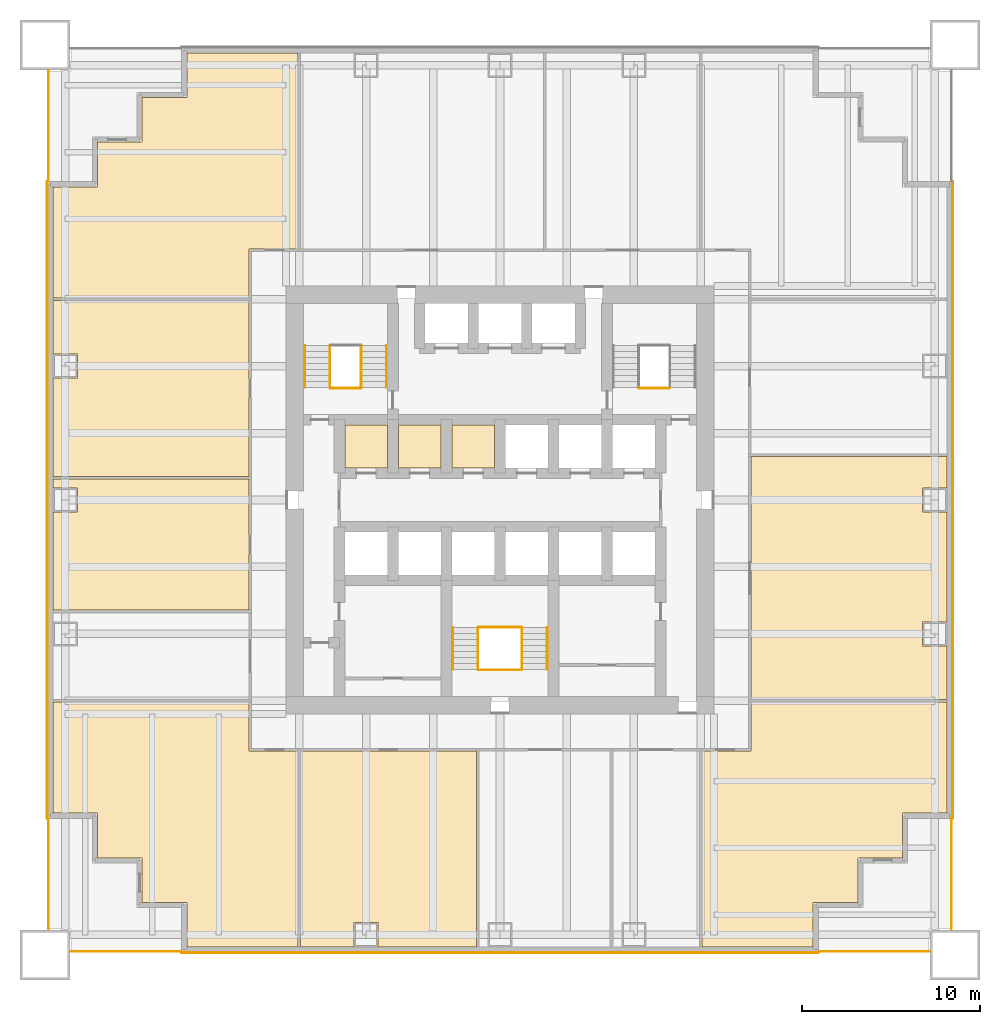
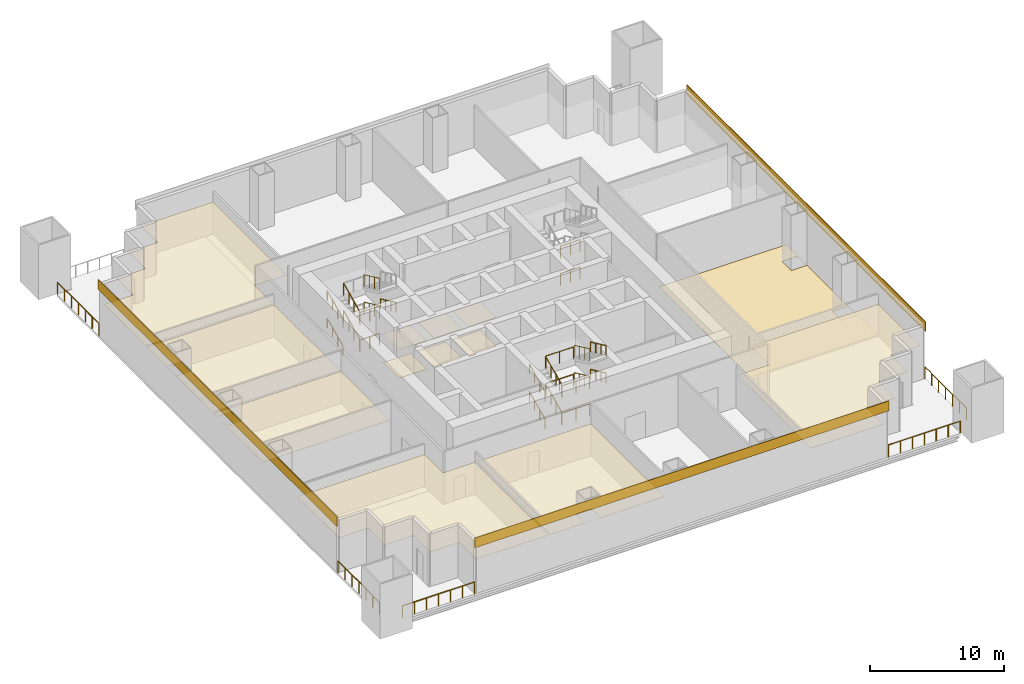
# One storey, part 5 of 6: 28 railings, 16 coverings.
"""IFC4 building model written with IfcOpenShell, lengths in metres."""

from ifc_helpers import new_model, si_unit, direction, frame, origin, origin_2d, place, context, subcontext, project, spatial, polyline, rectangle, circle, outline, extrude, material, layer, layer_set, type_object, element, save


model = new_model("IFC4")

# Units and contexts
model_context = context("Model", 3, precision=1e-05, world=origin(), true_north=direction((0.0, 1.0)))
body_context = subcontext(model_context, "Body", "Model", "MODEL_VIEW")
ifc_project = project(units=[si_unit("LENGTHUNIT", "METRE"), si_unit("AREAUNIT", "SQUARE_METRE"), si_unit("VOLUMEUNIT", "CUBIC_METRE"), si_unit("PLANEANGLEUNIT", "RADIAN"), si_unit("MASSUNIT", "GRAM", prefix="KILO")], contexts=[model_context])

# Site, building, storey
site_placement = place(None, origin())
site = spatial("IfcSite", under=ifc_project, at=site_placement, CompositionType="ELEMENT")
building_placement = place(site_placement, origin())
building = spatial("IfcBuilding", under=site, at=building_placement, Name="Tarangal Relay Tower", CompositionType="ELEMENT")
storey_placement = place(building_placement, frame((0.0, 0.0, 33.39990234375)))
storey = spatial("IfcBuildingStorey", under=building, at=storey_placement, Name="L06", CompositionType="ELEMENT", Elevation=33.39990234375)

# Coverings
ifc_material_1 = material(Name="Anti-static vinyl flooring", Category="plastic")
ifc_layer_1 = layer(ifc_material_1, 0.010009765625)
ifc_layer_set_1 = layer_set([ifc_layer_1], Name="Anti-static vinyl floor")
covering_type_1 = type_object("IfcCoveringType", Name="Anti-static vinyl floor", PredefinedType="FLOORING", material=ifc_layer_set_1)
covering_1_placement = place(storey_placement, origin())
element("IfcCovering", 1, at=covering_1_placement, inside=storey, type_object=covering_type_1, Name="Floor finish FL1 L06-D1", PredefinedType="FLOORING", context=body_context, shape_type="SweptSolid", body=[
    extrude(outline(polyline([(-8.699951171875, 1.800048828125), (-6.300048828125, 1.800048828125), (-6.300048828125, 4.199951171875), (-8.699951171875, 4.199951171875), (-8.699951171875, 1.800048828125)])), origin(), (0.0, 0.0, 1.0), 0.010009765625),
])
covering_2_placement = place(storey_placement, origin())
element("IfcCovering", 2, at=covering_2_placement, inside=storey, type_object=covering_type_1, Name="Floor finish FL1 L06-D2", PredefinedType="FLOORING", context=body_context, shape_type="SweptSolid", body=[
    extrude(outline(polyline([(-5.699951171875, 1.800048828125), (-3.300048828125, 1.800048828125), (-3.300048828125, 4.199951171875), (-5.699951171875, 4.199951171875), (-5.699951171875, 1.800048828125)])), origin(), (0.0, 0.0, 1.0), 0.010009765625),
])
covering_3_placement = place(storey_placement, origin())
element("IfcCovering", 3, at=covering_3_placement, inside=storey, type_object=covering_type_1, Name="Floor finish FL1 L06-D3", PredefinedType="FLOORING", context=body_context, shape_type="SweptSolid", body=[
    extrude(outline(polyline([(-2.699951171875, 1.800048828125), (-0.300048828125, 1.800048828125), (-0.300048828125, 4.199951171875), (-2.699951171875, 4.199951171875), (-2.699951171875, 1.800048828125)])), origin(), (0.0, 0.0, 1.0), 0.010009765625),
])
covering_4_placement = place(storey_placement, origin())
element("IfcCovering", 4, at=covering_4_placement, inside=storey, type_object=covering_type_1, Name="Floor finish FL1 L06-05", PredefinedType="FLOORING", context=body_context, shape_type="SweptSolid", body=[
    extrude(outline(polyline([(25.050048828125, -11.175048828125), (25.050048828125, 2.425048828125), (14.074951171875, 2.425048828125), (14.074951171875, -11.175048828125), (25.050048828125, -11.175048828125)]), holes=[polyline([(25.0400390625, -8.175048828125), (25.0400390625, -6.824951171875), (23.68994140625, -6.824951171875), (23.68994140625, -8.175048828125), (25.0400390625, -8.175048828125)]), polyline([(25.0400390625, -0.675048828125), (25.0400390625, 0.675048828125), (23.68994140625, 0.675048828125), (23.68994140625, -0.675048828125), (25.0400390625, -0.675048828125)])]), origin(), (0.0, 0.0, 1.0), 0.010009765625),
])
ifc_material_2 = material(Name="Black anodised aluminium cladding", Category="aluminium")
ifc_layer_2 = layer(ifc_material_2, 0.050048828125)
ifc_layer_set_2 = layer_set([ifc_layer_2], Name="Black metal spandrel band")
covering_type_2 = type_object("IfcCoveringType", Name="Black metal spandrel band", PredefinedType="CLADDING", material=ifc_layer_set_2)
for number, where, z_axis, x_axis, name in (
    (5, (25.375, 0.0, 4.250244140625), (0.0, 0.0, 1.0), (0.0, -1.0, 0.0), "Spandrel band SB1 E L06"),
    (6, (0.0, -25.375, 4.250244140625), (0.0, 0.0, 1.0), (-1.0, 0.0, 0.0), "Spandrel band SB1 S L06"),
    (7, (-25.375, 0.0, 4.250244140625), (0.0, 0.0, 1.0), (0.0, 1.0, 0.0), "Spandrel band SB1 W L06"),
):
    element("IfcCovering", number, at=place(storey_placement, frame(where, z_axis=z_axis, x_axis=x_axis)), inside=storey, type_object=covering_type_2, Name=name, PredefinedType="CLADDING", context=body_context, shape_type="SweptSolid", body=[
        extrude(rectangle(XDim=35.699951171875, YDim=0.050048828125, at=origin_2d()), origin(), (0.0, 0.0, 1.0), 0.89990234375),
    ])

# Railings
ifc_material_3 = material(Name="Steel guard, black finish", Category="steel")
railing_type_1 = type_object("IfcRailingType", Name="Stair guard 1100", PredefinedType="GUARDRAIL", material=ifc_material_3)
railing_1_placement = place(storey_placement, frame((-9.530029296875, 6.300048828125, 0.15625)))
element("IfcRailing", 8, at=railing_1_placement, inside=storey, type_object=railing_type_1, Name="Stair ST-A guard GR1 L06 flight 1", PredefinedType="GUARDRAIL", context=body_context, shape_type="SweptSolid", body=[
    extrude(circle(Radius=0.02392578125, at=origin_2d()), frame((0.0, 0.0, 1.076171875), z_axis=(0.0, 0.90626748934, 0.422704669676), x_axis=(-1.0, 0.0, 0.0)), (0.0, 0.0, 1.0), 2.58740234375),
    extrude(circle(Radius=0.02099609375, at=origin_2d()), origin(), (0.0, 0.0, 1.0), 1.052001953125),
    extrude(circle(Radius=0.02099609375, at=origin_2d()), frame((0.0, 0.78173828125, 0.364501953125)), (0.0, 0.0, 1.0), 1.052001953125),
    extrude(circle(Radius=0.02099609375, at=origin_2d()), frame((0.0, 1.563232421875, 0.729248046875)), (0.0, 0.0, 1.0), 1.052001953125),
    extrude(circle(Radius=0.02099609375, at=origin_2d()), frame((0.0, 2.344970703125, 1.09375)), (0.0, 0.0, 1.0), 1.052001953125),
])
railing_2_placement = place(storey_placement, frame((-7.77001953125, 8.64501953125, 1.40625)))
element("IfcRailing", 9, at=railing_2_placement, inside=storey, type_object=railing_type_1, Name="Stair ST-A guard GR1 L06 flight 2", PredefinedType="GUARDRAIL", context=body_context, shape_type="SweptSolid", body=[
    extrude(circle(Radius=0.02392578125, at=origin_2d()), frame((0.0, 0.0, 1.076171875), z_axis=(0.0, -0.90626748934, 0.422704669676), x_axis=(1.0, 0.0, 0.0)), (0.0, 0.0, 1.0), 2.58740234375),
    extrude(circle(Radius=0.02099609375, at=origin_2d()), origin(), (0.0, 0.0, 1.0), 1.052001953125),
    extrude(circle(Radius=0.02099609375, at=origin_2d()), frame((0.0, -0.78173828125, 0.364501953125)), (0.0, 0.0, 1.0), 1.052001953125),
    extrude(circle(Radius=0.02099609375, at=origin_2d()), frame((0.0, -1.563232421875, 0.729248046875)), (0.0, 0.0, 1.0), 1.052001953125),
    extrude(circle(Radius=0.02099609375, at=origin_2d()), frame((0.0, -2.344970703125, 1.09375)), (0.0, 0.0, 1.0), 1.052001953125),
])
railing_3_placement = place(storey_placement, frame((-9.530029296875, 6.300048828125, 2.65625)))
element("IfcRailing", 10, at=railing_3_placement, inside=storey, type_object=railing_type_1, Name="Stair ST-A guard GR1 L06 flight 3", PredefinedType="GUARDRAIL", context=body_context, shape_type="SweptSolid", body=[
    extrude(circle(Radius=0.02392578125, at=origin_2d()), frame((0.0, 0.0, 1.076171875), z_axis=(0.0, 0.90626748934, 0.422704669676), x_axis=(-1.0, 0.0, 0.0)), (0.0, 0.0, 1.0), 2.58740234375),
    extrude(circle(Radius=0.02099609375, at=origin_2d()), origin(), (0.0, 0.0, 1.0), 1.052001953125),
    extrude(circle(Radius=0.02099609375, at=origin_2d()), frame((0.0, 0.78173828125, 0.364501953125)), (0.0, 0.0, 1.0), 1.052001953125),
    extrude(circle(Radius=0.02099609375, at=origin_2d()), frame((0.0, 1.563232421875, 0.729248046875)), (0.0, 0.0, 1.0), 1.052001953125),
    extrude(circle(Radius=0.02099609375, at=origin_2d()), frame((0.0, 2.344970703125, 1.09375)), (0.0, 0.0, 1.0), 1.052001953125),
])
railing_4_placement = place(storey_placement, frame((-7.77001953125, 8.64501953125, 3.90625)))
element("IfcRailing", 11, at=railing_4_placement, inside=storey, type_object=railing_type_1, Name="Stair ST-A guard GR1 L06 flight 4", PredefinedType="GUARDRAIL", context=body_context, shape_type="SweptSolid", body=[
    extrude(circle(Radius=0.02392578125, at=origin_2d()), frame((0.0, 0.0, 1.076171875), z_axis=(0.0, -0.90626748934, 0.422704669676), x_axis=(1.0, 0.0, 0.0)), (0.0, 0.0, 1.0), 2.58740234375),
    extrude(circle(Radius=0.02099609375, at=origin_2d()), origin(), (0.0, 0.0, 1.0), 1.052001953125),
    extrude(circle(Radius=0.02099609375, at=origin_2d()), frame((0.0, -0.78173828125, 0.364501953125)), (0.0, 0.0, 1.0), 1.052001953125),
    extrude(circle(Radius=0.02099609375, at=origin_2d()), frame((0.0, -1.563232421875, 0.729248046875)), (0.0, 0.0, 1.0), 1.052001953125),
    extrude(circle(Radius=0.02099609375, at=origin_2d()), frame((0.0, -2.344970703125, 1.09375)), (0.0, 0.0, 1.0), 1.052001953125),
])
for number, where, name in (
    (12, (-9.5, 6.27001953125, 0.0), "Stair ST-A landing guard GR1 L06"),
    (13, (-9.5, 6.27001953125, 2.5), "Stair ST-A landing guard GR1 L06"),
    (14, (7.800048828125, 6.27001953125, 0.0), "Stair ST-B landing guard GR1 L06"),
    (15, (7.800048828125, 6.27001953125, 2.5), "Stair ST-B landing guard GR1 L06"),
):
    element("IfcRailing", number, at=place(storey_placement, frame(where)), inside=storey, type_object=railing_type_1, Name=name, PredefinedType="GUARDRAIL", context=body_context, shape_type="SweptSolid", body=[
        extrude(circle(Radius=0.02392578125, at=origin_2d()), frame((0.0, 0.0, 1.076171875), z_axis=(1.0, 0.0, 0.0), x_axis=(0.0, 1.0, 0.0)), (0.0, 0.0, 1.0), 1.699951171875),
        extrude(circle(Radius=0.02099609375, at=origin_2d()), origin(), (0.0, 0.0, 1.0), 1.052001953125),
        extrude(circle(Radius=0.02099609375, at=origin_2d()), frame((0.85009765625, 0.0, 0.0)), (0.0, 0.0, 1.0), 1.052001953125),
        extrude(circle(Radius=0.02099609375, at=origin_2d()), frame((1.699951171875, 0.0, 0.0)), (0.0, 0.0, 1.0), 1.052001953125),
    ])
railing_5_placement = place(storey_placement, frame((-1.22998046875, -9.5, 0.15625)))
element("IfcRailing", 16, at=railing_5_placement, inside=storey, type_object=railing_type_1, Name="Stair ST-C guard GR1 L06 flight 1", PredefinedType="GUARDRAIL", context=body_context, shape_type="SweptSolid", body=[
    extrude(circle(Radius=0.02392578125, at=origin_2d()), frame((0.0, 0.0, 1.076171875), z_axis=(0.0, 0.90626748934, 0.422704669676), x_axis=(-1.0, 0.0, 0.0)), (0.0, 0.0, 1.0), 2.58740234375),
    extrude(circle(Radius=0.02099609375, at=origin_2d()), origin(), (0.0, 0.0, 1.0), 1.052001953125),
    extrude(circle(Radius=0.02099609375, at=origin_2d()), frame((0.0, 0.78173828125, 0.364501953125)), (0.0, 0.0, 1.0), 1.052001953125),
    extrude(circle(Radius=0.02099609375, at=origin_2d()), frame((0.0, 1.563232421875, 0.729248046875)), (0.0, 0.0, 1.0), 1.052001953125),
    extrude(circle(Radius=0.02099609375, at=origin_2d()), frame((0.0, 2.344970703125, 1.09375)), (0.0, 0.0, 1.0), 1.052001953125),
])
railing_6_placement = place(storey_placement, frame((1.22998046875, -7.155029296875, 1.40625)))
element("IfcRailing", 17, at=railing_6_placement, inside=storey, type_object=railing_type_1, Name="Stair ST-C guard GR1 L06 flight 2", PredefinedType="GUARDRAIL", context=body_context, shape_type="SweptSolid", body=[
    extrude(circle(Radius=0.02392578125, at=origin_2d()), frame((0.0, 0.0, 1.076171875), z_axis=(0.0, -0.90626748934, 0.422704669676), x_axis=(1.0, 0.0, 0.0)), (0.0, 0.0, 1.0), 2.58740234375),
    extrude(circle(Radius=0.02099609375, at=origin_2d()), origin(), (0.0, 0.0, 1.0), 1.052001953125),
    extrude(circle(Radius=0.02099609375, at=origin_2d()), frame((0.0, -0.78173828125, 0.364501953125)), (0.0, 0.0, 1.0), 1.052001953125),
    extrude(circle(Radius=0.02099609375, at=origin_2d()), frame((0.0, -1.563232421875, 0.729248046875)), (0.0, 0.0, 1.0), 1.052001953125),
    extrude(circle(Radius=0.02099609375, at=origin_2d()), frame((0.0, -2.344970703125, 1.09375)), (0.0, 0.0, 1.0), 1.052001953125),
])
railing_7_placement = place(storey_placement, frame((-1.22998046875, -9.5, 2.65625)))
element("IfcRailing", 18, at=railing_7_placement, inside=storey, type_object=railing_type_1, Name="Stair ST-C guard GR1 L06 flight 3", PredefinedType="GUARDRAIL", context=body_context, shape_type="SweptSolid", body=[
    extrude(circle(Radius=0.02392578125, at=origin_2d()), frame((0.0, 0.0, 1.076171875), z_axis=(0.0, 0.90626748934, 0.422704669676), x_axis=(-1.0, 0.0, 0.0)), (0.0, 0.0, 1.0), 2.58740234375),
    extrude(circle(Radius=0.02099609375, at=origin_2d()), origin(), (0.0, 0.0, 1.0), 1.052001953125),
    extrude(circle(Radius=0.02099609375, at=origin_2d()), frame((0.0, 0.78173828125, 0.364501953125)), (0.0, 0.0, 1.0), 1.052001953125),
    extrude(circle(Radius=0.02099609375, at=origin_2d()), frame((0.0, 1.563232421875, 0.729248046875)), (0.0, 0.0, 1.0), 1.052001953125),
    extrude(circle(Radius=0.02099609375, at=origin_2d()), frame((0.0, 2.344970703125, 1.09375)), (0.0, 0.0, 1.0), 1.052001953125),
])
railing_8_placement = place(storey_placement, frame((1.22998046875, -7.155029296875, 3.90625)))
element("IfcRailing", 19, at=railing_8_placement, inside=storey, type_object=railing_type_1, Name="Stair ST-C guard GR1 L06 flight 4", PredefinedType="GUARDRAIL", context=body_context, shape_type="SweptSolid", body=[
    extrude(circle(Radius=0.02392578125, at=origin_2d()), frame((0.0, 0.0, 1.076171875), z_axis=(0.0, -0.90626748934, 0.422704669676), x_axis=(1.0, 0.0, 0.0)), (0.0, 0.0, 1.0), 2.58740234375),
    extrude(circle(Radius=0.02099609375, at=origin_2d()), origin(), (0.0, 0.0, 1.0), 1.052001953125),
    extrude(circle(Radius=0.02099609375, at=origin_2d()), frame((0.0, -0.78173828125, 0.364501953125)), (0.0, 0.0, 1.0), 1.052001953125),
    extrude(circle(Radius=0.02099609375, at=origin_2d()), frame((0.0, -1.563232421875, 0.729248046875)), (0.0, 0.0, 1.0), 1.052001953125),
    extrude(circle(Radius=0.02099609375, at=origin_2d()), frame((0.0, -2.344970703125, 1.09375)), (0.0, 0.0, 1.0), 1.052001953125),
])
for number, where, name in (
    (20, (-1.199951171875, -9.530029296875, 0.0), "Stair ST-C landing guard GR1 L06"),
    (21, (-1.199951171875, -7.125, 1.25), "Stair ST-C landing guard GR1 L06"),
    (22, (-1.199951171875, -9.530029296875, 2.5), "Stair ST-C landing guard GR1 L06"),
    (23, (-1.199951171875, -7.125, 3.75), "Stair ST-C landing guard GR1 L06"),
):
    element("IfcRailing", number, at=place(storey_placement, frame(where)), inside=storey, type_object=railing_type_1, Name=name, PredefinedType="GUARDRAIL", context=body_context, shape_type="SweptSolid", body=[
        extrude(circle(Radius=0.02392578125, at=origin_2d()), frame((0.0, 0.0, 1.076171875), z_axis=(1.0, 0.0, 0.0), x_axis=(0.0, 1.0, 0.0)), (0.0, 0.0, 1.0), 2.39990234375),
        extrude(circle(Radius=0.02099609375, at=origin_2d()), origin(), (0.0, 0.0, 1.0), 1.052001953125),
        extrude(circle(Radius=0.02099609375, at=origin_2d()), frame((1.199951171875, 0.0, 0.0)), (0.0, 0.0, 1.0), 1.052001953125),
        extrude(circle(Radius=0.02099609375, at=origin_2d()), frame((2.39990234375, 0.0, 0.0)), (0.0, 0.0, 1.0), 1.052001953125),
    ])
ifc_material_4 = material(Name="Steel handrail, black finish", Category="steel")
railing_type_2 = type_object("IfcRailingType", Name="Stair handrail 900", PredefinedType="HANDRAIL", material=ifc_material_4)
railing_9_placement = place(storey_placement, frame((-10.93994140625, 6.300048828125, 0.15625)))
element("IfcRailing", 24, at=railing_9_placement, inside=storey, type_object=railing_type_2, Name="Stair ST-A handrail HR1 L06 flight 1", PredefinedType="HANDRAIL", context=body_context, shape_type="SweptSolid", body=[
    extrude(circle(Radius=0.02392578125, at=origin_2d()), frame((0.0, 0.0, 0.8759765625), z_axis=(0.0, 0.90626748934, 0.422704669676), x_axis=(-1.0, 0.0, 0.0)), (0.0, 0.0, 1.0), 2.58740234375),
    extrude(circle(Radius=0.02099609375, at=origin_2d()), origin(), (0.0, 0.0, 1.0), 0.851806640625),
    extrude(circle(Radius=0.02099609375, at=origin_2d()), frame((0.0, 0.78173828125, 0.364501953125)), (0.0, 0.0, 1.0), 0.851806640625),
    extrude(circle(Radius=0.02099609375, at=origin_2d()), frame((0.0, 1.563232421875, 0.729248046875)), (0.0, 0.0, 1.0), 0.851806640625),
    extrude(circle(Radius=0.02099609375, at=origin_2d()), frame((0.0, 2.344970703125, 1.09375)), (0.0, 0.0, 1.0), 0.851806640625),
])
railing_10_placement = place(storey_placement, frame((-6.360107421875, 8.64501953125, 1.40625)))
element("IfcRailing", 25, at=railing_10_placement, inside=storey, type_object=railing_type_2, Name="Stair ST-A handrail HR1 L06 flight 2", PredefinedType="HANDRAIL", context=body_context, shape_type="SweptSolid", body=[
    extrude(circle(Radius=0.02392578125, at=origin_2d()), frame((0.0, 0.0, 0.8759765625), z_axis=(0.0, -0.90626748934, 0.422704669676), x_axis=(1.0, 0.0, 0.0)), (0.0, 0.0, 1.0), 2.58740234375),
    extrude(circle(Radius=0.02099609375, at=origin_2d()), origin(), (0.0, 0.0, 1.0), 0.851806640625),
    extrude(circle(Radius=0.02099609375, at=origin_2d()), frame((0.0, -0.78173828125, 0.364501953125)), (0.0, 0.0, 1.0), 0.851806640625),
    extrude(circle(Radius=0.02099609375, at=origin_2d()), frame((0.0, -1.563232421875, 0.729248046875)), (0.0, 0.0, 1.0), 0.851806640625),
    extrude(circle(Radius=0.02099609375, at=origin_2d()), frame((0.0, -2.344970703125, 1.09375)), (0.0, 0.0, 1.0), 0.851806640625),
])
for number, where, name in (
    (26, (-10.93994140625, 6.300048828125, 2.65625), "Stair ST-A handrail HR1 L06 flight 3"),
    (27, (-2.639892578125, -9.5, 0.15625), "Stair ST-C handrail HR1 L06 flight 1"),
):
    element("IfcRailing", number, at=place(storey_placement, frame(where)), inside=storey, type_object=railing_type_2, Name=name, PredefinedType="HANDRAIL", context=body_context, shape_type="SweptSolid", body=[
        extrude(circle(Radius=0.02392578125, at=origin_2d()), frame((0.0, 0.0, 0.8759765625), z_axis=(0.0, 0.90626748934, 0.422704669676), x_axis=(-1.0, 0.0, 0.0)), (0.0, 0.0, 1.0), 2.58740234375),
        extrude(circle(Radius=0.02099609375, at=origin_2d()), origin(), (0.0, 0.0, 1.0), 0.851806640625),
        extrude(circle(Radius=0.02099609375, at=origin_2d()), frame((0.0, 0.78173828125, 0.364501953125)), (0.0, 0.0, 1.0), 0.851806640625),
        extrude(circle(Radius=0.02099609375, at=origin_2d()), frame((0.0, 1.563232421875, 0.729248046875)), (0.0, 0.0, 1.0), 0.851806640625),
        extrude(circle(Radius=0.02099609375, at=origin_2d()), frame((0.0, 2.344970703125, 1.09375)), (0.0, 0.0, 1.0), 0.851806640625),
    ])
railing_11_placement = place(storey_placement, frame((2.639892578125, -7.155029296875, 1.40625)))
element("IfcRailing", 28, at=railing_11_placement, inside=storey, type_object=railing_type_2, Name="Stair ST-C handrail HR1 L06 flight 2", PredefinedType="HANDRAIL", context=body_context, shape_type="SweptSolid", body=[
    extrude(circle(Radius=0.02392578125, at=origin_2d()), frame((0.0, 0.0, 0.8759765625), z_axis=(0.0, -0.90626748934, 0.422704669676), x_axis=(1.0, 0.0, 0.0)), (0.0, 0.0, 1.0), 2.58740234375),
    extrude(circle(Radius=0.02099609375, at=origin_2d()), origin(), (0.0, 0.0, 1.0), 0.851806640625),
    extrude(circle(Radius=0.02099609375, at=origin_2d()), frame((0.0, -0.78173828125, 0.364501953125)), (0.0, 0.0, 1.0), 0.851806640625),
    extrude(circle(Radius=0.02099609375, at=origin_2d()), frame((0.0, -1.563232421875, 0.729248046875)), (0.0, 0.0, 1.0), 0.851806640625),
    extrude(circle(Radius=0.02099609375, at=origin_2d()), frame((0.0, -2.344970703125, 1.09375)), (0.0, 0.0, 1.0), 0.851806640625),
])
railing_12_placement = place(storey_placement, frame((-2.639892578125, -9.5, 2.65625)))
element("IfcRailing", 29, at=railing_12_placement, inside=storey, type_object=railing_type_2, Name="Stair ST-C handrail HR1 L06 flight 3", PredefinedType="HANDRAIL", context=body_context, shape_type="SweptSolid", body=[
    extrude(circle(Radius=0.02392578125, at=origin_2d()), frame((0.0, 0.0, 0.8759765625), z_axis=(0.0, 0.90626748934, 0.422704669676), x_axis=(-1.0, 0.0, 0.0)), (0.0, 0.0, 1.0), 2.58740234375),
    extrude(circle(Radius=0.02099609375, at=origin_2d()), origin(), (0.0, 0.0, 1.0), 0.851806640625),
    extrude(circle(Radius=0.02099609375, at=origin_2d()), frame((0.0, 0.78173828125, 0.364501953125)), (0.0, 0.0, 1.0), 0.851806640625),
    extrude(circle(Radius=0.02099609375, at=origin_2d()), frame((0.0, 1.563232421875, 0.729248046875)), (0.0, 0.0, 1.0), 0.851806640625),
    extrude(circle(Radius=0.02099609375, at=origin_2d()), frame((0.0, 2.344970703125, 1.09375)), (0.0, 0.0, 1.0), 0.851806640625),
])
railing_13_placement = place(storey_placement, frame((2.639892578125, -7.155029296875, 3.90625)))
element("IfcRailing", 30, at=railing_13_placement, inside=storey, type_object=railing_type_2, Name="Stair ST-C handrail HR1 L06 flight 4", PredefinedType="HANDRAIL", context=body_context, shape_type="SweptSolid", body=[
    extrude(circle(Radius=0.02392578125, at=origin_2d()), frame((0.0, 0.0, 0.8759765625), z_axis=(0.0, -0.90626748934, 0.422704669676), x_axis=(1.0, 0.0, 0.0)), (0.0, 0.0, 1.0), 2.58740234375),
    extrude(circle(Radius=0.02099609375, at=origin_2d()), origin(), (0.0, 0.0, 1.0), 0.851806640625),
    extrude(circle(Radius=0.02099609375, at=origin_2d()), frame((0.0, -0.78173828125, 0.364501953125)), (0.0, 0.0, 1.0), 0.851806640625),
    extrude(circle(Radius=0.02099609375, at=origin_2d()), frame((0.0, -1.563232421875, 0.729248046875)), (0.0, 0.0, 1.0), 0.851806640625),
    extrude(circle(Radius=0.02099609375, at=origin_2d()), frame((0.0, -2.344970703125, 1.09375)), (0.0, 0.0, 1.0), 0.851806640625),
])

# Coverings
ifc_material_5 = material(Name="Mineral fibre ceiling tiles", Category="gypsum")
ifc_layer_3 = layer(ifc_material_5, 0.02001953125)
ifc_layer_set_3 = layer_set([ifc_layer_3], Name="Suspended ceiling")
covering_type_3 = type_object("IfcCoveringType", Name="Suspended ceiling", PredefinedType="CEILING", material=ifc_layer_set_3)
covering_5_placement = place(storey_placement, frame((0.0, 0.0, 2.60009765625)))
element("IfcCovering", 31, at=covering_5_placement, inside=storey, type_object=covering_type_3, Name="Suspended ceiling CL1 L06-D1", PredefinedType="CEILING", context=body_context, shape_type="SweptSolid", body=[
    extrude(outline(polyline([(-8.699951171875, 1.800048828125), (-6.300048828125, 1.800048828125), (-6.300048828125, 4.199951171875), (-8.699951171875, 4.199951171875), (-8.699951171875, 1.800048828125)])), origin(), (0.0, 0.0, 1.0), 0.02001953125),
])
covering_6_placement = place(storey_placement, frame((0.0, 0.0, 2.60009765625)))
element("IfcCovering", 32, at=covering_6_placement, inside=storey, type_object=covering_type_3, Name="Suspended ceiling CL1 L06-D2", PredefinedType="CEILING", context=body_context, shape_type="SweptSolid", body=[
    extrude(outline(polyline([(-5.699951171875, 1.800048828125), (-3.300048828125, 1.800048828125), (-3.300048828125, 4.199951171875), (-5.699951171875, 4.199951171875), (-5.699951171875, 1.800048828125)])), origin(), (0.0, 0.0, 1.0), 0.02001953125),
])
covering_7_placement = place(storey_placement, frame((0.0, 0.0, 2.60009765625)))
element("IfcCovering", 33, at=covering_7_placement, inside=storey, type_object=covering_type_3, Name="Suspended ceiling CL1 L06-D3", PredefinedType="CEILING", context=body_context, shape_type="SweptSolid", body=[
    extrude(outline(polyline([(-2.699951171875, 1.800048828125), (-0.300048828125, 1.800048828125), (-0.300048828125, 4.199951171875), (-2.699951171875, 4.199951171875), (-2.699951171875, 1.800048828125)])), origin(), (0.0, 0.0, 1.0), 0.02001953125),
])
covering_8_placement = place(storey_placement, frame((0.0, 0.0, 2.900146484375)))
element("IfcCovering", 34, at=covering_8_placement, inside=storey, type_object=covering_type_3, Name="Suspended ceiling CL1 L06-08", PredefinedType="CEILING", context=body_context, shape_type="SweptSolid", body=[
    extrude(outline(polyline([(-11.175048828125, -25.050048828125), (-1.324951171875, -25.050048828125), (-1.324951171875, -14.074951171875), (-11.175048828125, -14.074951171875), (-11.175048828125, -25.050048828125)]), holes=[polyline([(-6.824951171875, -23.68994140625), (-8.175048828125, -23.68994140625), (-8.175048828125, -25.0400390625), (-6.824951171875, -25.0400390625), (-6.824951171875, -23.68994140625)])]), origin(), (0.0, 0.0, 1.0), 0.02001953125),
])
covering_9_placement = place(storey_placement, frame((0.0, 0.0, 2.900146484375)))
element("IfcCovering", 35, at=covering_9_placement, inside=storey, type_object=covering_type_3, Name="Suspended ceiling CL1 L06-10", PredefinedType="CEILING", context=body_context, shape_type="SweptSolid", body=[
    extrude(outline(polyline([(-25.050048828125, 1.175048828125), (-25.050048828125, -6.175048828125), (-14.074951171875, -6.175048828125), (-14.074951171875, 1.175048828125), (-25.050048828125, 1.175048828125)]), holes=[polyline([(-23.68994140625, 0.675048828125), (-25.0400390625, 0.675048828125), (-25.0400390625, -0.675048828125), (-23.68994140625, -0.675048828125), (-23.68994140625, 0.675048828125)])]), origin(), (0.0, 0.0, 1.0), 0.02001953125),
])
covering_10_placement = place(storey_placement, frame((0.0, 0.0, 2.900146484375)))
element("IfcCovering", 36, at=covering_10_placement, inside=storey, type_object=covering_type_3, Name="Suspended ceiling CL1 L06-11", PredefinedType="CEILING", context=body_context, shape_type="SweptSolid", body=[
    extrude(outline(polyline([(-25.050048828125, 11.175048828125), (-25.050048828125, 1.324951171875), (-14.074951171875, 1.324951171875), (-14.074951171875, 11.175048828125), (-25.050048828125, 11.175048828125)]), holes=[polyline([(-23.68994140625, 8.175048828125), (-25.0400390625, 8.175048828125), (-25.0400390625, 6.824951171875), (-23.68994140625, 6.824951171875), (-23.68994140625, 8.175048828125)])]), origin(), (0.0, 0.0, 1.0), 0.02001953125),
])
covering_11_placement = place(storey_placement, frame((0.0, 0.0, 2.900146484375)))
element("IfcCovering", 37, at=covering_11_placement, inside=storey, type_object=covering_type_3, Name="Suspended ceiling CL1 L06-13", PredefinedType="CEILING", context=body_context, shape_type="SweptSolid", body=[
    extrude(outline(polyline([(25.050048828125, -17.550048828125), (25.050048828125, -11.324951171875), (14.074951171875, -11.324951171875), (14.074951171875, -14.074951171875), (11.324951171875, -14.074951171875), (11.324951171875, -25.050048828125), (17.550048828125, -25.050048828125), (17.550048828125, -22.550048828125), (20.050048828125, -22.550048828125), (20.050048828125, -20.050048828125), (22.550048828125, -20.050048828125), (22.550048828125, -17.550048828125), (25.050048828125, -17.550048828125)])), origin(), (0.0, 0.0, 1.0), 0.02001953125),
])
covering_12_placement = place(storey_placement, frame((0.0, 0.0, 2.900146484375)))
element("IfcCovering", 38, at=covering_12_placement, inside=storey, type_object=covering_type_3, Name="Suspended ceiling CL1 L06-14", PredefinedType="CEILING", context=body_context, shape_type="SweptSolid", body=[
    extrude(outline(polyline([(-17.550048828125, -22.550048828125), (-17.550048828125, -25.050048828125), (-11.324951171875, -25.050048828125), (-11.324951171875, -14.074951171875), (-14.074951171875, -14.074951171875), (-14.074951171875, -11.324951171875), (-25.050048828125, -11.324951171875), (-25.050048828125, -17.550048828125), (-22.550048828125, -17.550048828125), (-22.550048828125, -20.050048828125), (-20.050048828125, -20.050048828125), (-20.050048828125, -22.550048828125), (-17.550048828125, -22.550048828125)])), origin(), (0.0, 0.0, 1.0), 0.02001953125),
])
covering_13_placement = place(storey_placement, frame((0.0, 0.0, 2.900146484375)))
element("IfcCovering", 39, at=covering_13_placement, inside=storey, type_object=covering_type_3, Name="Suspended ceiling CL1 L06-15", PredefinedType="CEILING", context=body_context, shape_type="SweptSolid", body=[
    extrude(outline(polyline([(-22.550048828125, 17.550048828125), (-25.050048828125, 17.550048828125), (-25.050048828125, 11.324951171875), (-14.074951171875, 11.324951171875), (-14.074951171875, 14.074951171875), (-11.324951171875, 14.074951171875), (-11.324951171875, 25.050048828125), (-17.550048828125, 25.050048828125), (-17.550048828125, 22.550048828125), (-20.050048828125, 22.550048828125), (-20.050048828125, 20.050048828125), (-22.550048828125, 20.050048828125), (-22.550048828125, 17.550048828125)])), origin(), (0.0, 0.0, 1.0), 0.02001953125),
])

# Railings
ifc_material_6 = material(Name="Black steel guard with glass infill", Category="steel")
railing_type_3 = type_object("IfcRailingType", Name="Terrace guard 1100", PredefinedType="GUARDRAIL", material=ifc_material_6)
railing_14_placement = place(storey_placement, frame((25.300048828125, -17.85009765625, 0.0)))
element("IfcRailing", 40, at=railing_14_placement, inside=storey, type_object=railing_type_3, Name="Terrace guard GR2 SE L06", PredefinedType="GUARDRAIL", context=body_context, shape_type="SweptSolid", body=[
    extrude(circle(Radius=0.02392578125, at=origin_2d()), frame((0.0, 0.0, 1.076171875), z_axis=(0.0, -1.0, 0.0), x_axis=(1.0, 0.0, 0.0)), (0.0, 0.0, 1.0), 6.199951171875),
    extrude(circle(Radius=0.02099609375, at=origin_2d()), origin(), (0.0, 0.0, 1.0), 1.052001953125),
    extrude(circle(Radius=0.02099609375, at=origin_2d()), frame((0.0, -1.033203125, 0.0)), (0.0, 0.0, 1.0), 1.052001953125),
    extrude(circle(Radius=0.02099609375, at=origin_2d()), frame((0.0, -2.066650390625, 0.0)), (0.0, 0.0, 1.0), 1.052001953125),
    extrude(circle(Radius=0.02099609375, at=origin_2d()), frame((0.0, -3.10009765625, 0.0)), (0.0, 0.0, 1.0), 1.052001953125),
    extrude(circle(Radius=0.02099609375, at=origin_2d()), frame((0.0, -4.13330078125, 0.0)), (0.0, 0.0, 1.0), 1.052001953125),
    extrude(circle(Radius=0.02099609375, at=origin_2d()), frame((0.0, -5.16650390625, 0.0)), (0.0, 0.0, 1.0), 1.052001953125),
    extrude(circle(Radius=0.02099609375, at=origin_2d()), frame((0.0, -6.199951171875, 0.0)), (0.0, 0.0, 1.0), 1.052001953125),
])
for number, where, name in (
    (41, (24.050048828125, -25.300048828125, 0.0), "Terrace guard GR2 SE L06"),
    (42, (-17.85009765625, -25.300048828125, 0.0), "Terrace guard GR2 SW L06"),
):
    element("IfcRailing", number, at=place(storey_placement, frame(where)), inside=storey, type_object=railing_type_3, Name=name, PredefinedType="GUARDRAIL", context=body_context, shape_type="SweptSolid", body=[
        extrude(circle(Radius=0.02392578125, at=origin_2d()), frame((0.0, 0.0, 1.076171875), z_axis=(-1.0, 0.0, 0.0), x_axis=(0.0, -1.0, 0.0)), (0.0, 0.0, 1.0), 6.199951171875),
        extrude(circle(Radius=0.02099609375, at=origin_2d()), origin(), (0.0, 0.0, 1.0), 1.052001953125),
        extrude(circle(Radius=0.02099609375, at=origin_2d()), frame((-1.033203125, 0.0, 0.0)), (0.0, 0.0, 1.0), 1.052001953125),
        extrude(circle(Radius=0.02099609375, at=origin_2d()), frame((-2.066650390625, 0.0, 0.0)), (0.0, 0.0, 1.0), 1.052001953125),
        extrude(circle(Radius=0.02099609375, at=origin_2d()), frame((-3.10009765625, 0.0, 0.0)), (0.0, 0.0, 1.0), 1.052001953125),
        extrude(circle(Radius=0.02099609375, at=origin_2d()), frame((-4.13330078125, 0.0, 0.0)), (0.0, 0.0, 1.0), 1.052001953125),
        extrude(circle(Radius=0.02099609375, at=origin_2d()), frame((-5.16650390625, 0.0, 0.0)), (0.0, 0.0, 1.0), 1.052001953125),
        extrude(circle(Radius=0.02099609375, at=origin_2d()), frame((-6.199951171875, 0.0, 0.0)), (0.0, 0.0, 1.0), 1.052001953125),
    ])
for number, where, name in (
    (43, (-25.300048828125, -24.050048828125, 0.0), "Terrace guard GR2 SW L06"),
    (44, (-25.300048828125, 17.85009765625, 0.0), "Terrace guard GR2 NW L06"),
):
    element("IfcRailing", number, at=place(storey_placement, frame(where)), inside=storey, type_object=railing_type_3, Name=name, PredefinedType="GUARDRAIL", context=body_context, shape_type="SweptSolid", body=[
        extrude(circle(Radius=0.02392578125, at=origin_2d()), frame((0.0, 0.0, 1.076171875), z_axis=(0.0, 1.0, 0.0), x_axis=(-1.0, 0.0, 0.0)), (0.0, 0.0, 1.0), 6.199951171875),
        extrude(circle(Radius=0.02099609375, at=origin_2d()), origin(), (0.0, 0.0, 1.0), 1.052001953125),
        extrude(circle(Radius=0.02099609375, at=origin_2d()), frame((0.0, 1.033203125, 0.0)), (0.0, 0.0, 1.0), 1.052001953125),
        extrude(circle(Radius=0.02099609375, at=origin_2d()), frame((0.0, 2.066650390625, 0.0)), (0.0, 0.0, 1.0), 1.052001953125),
        extrude(circle(Radius=0.02099609375, at=origin_2d()), frame((0.0, 3.10009765625, 0.0)), (0.0, 0.0, 1.0), 1.052001953125),
        extrude(circle(Radius=0.02099609375, at=origin_2d()), frame((0.0, 4.13330078125, 0.0)), (0.0, 0.0, 1.0), 1.052001953125),
        extrude(circle(Radius=0.02099609375, at=origin_2d()), frame((0.0, 5.16650390625, 0.0)), (0.0, 0.0, 1.0), 1.052001953125),
        extrude(circle(Radius=0.02099609375, at=origin_2d()), frame((0.0, 6.199951171875, 0.0)), (0.0, 0.0, 1.0), 1.052001953125),
    ])

save(model, "model.ifc")
